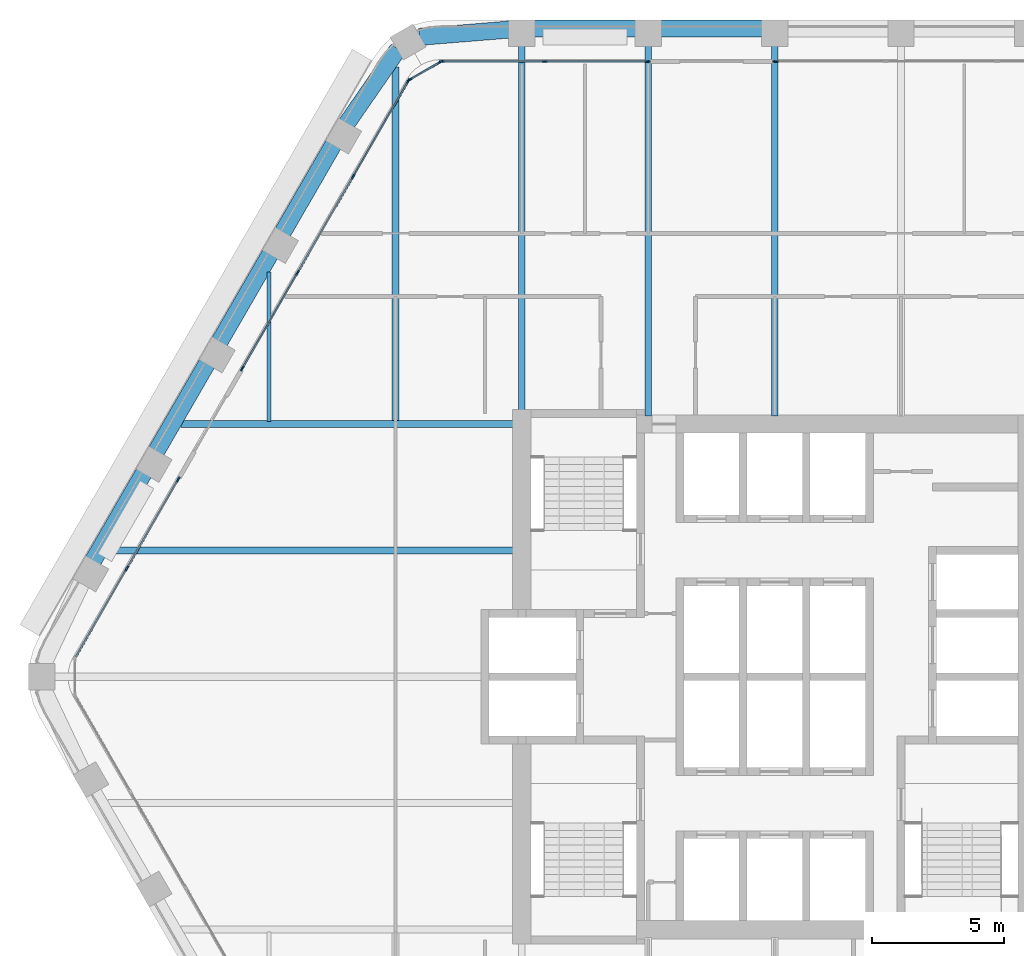
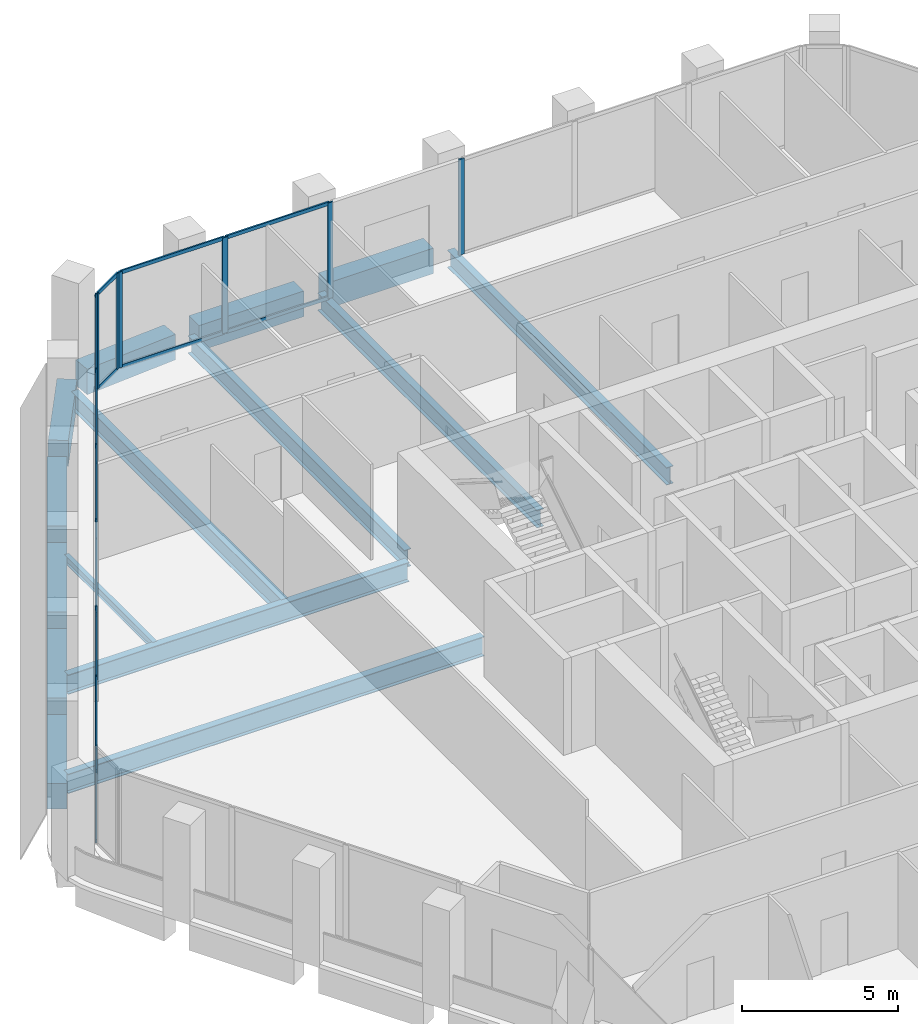
# One storey, part 6 of 17: 28 members, 15 beams, 5 elements without a shape of their own.
"""IFC4 building model written with IfcOpenShell, lengths in metres."""

import ifcopenshell
import ifcopenshell.guid

model = None  # the IFC model being written
_history = None  # IfcOwnerHistory: only IFC2X3 demands one
_inside = {}  # id of a spatial element -> (the spatial element, [elements in it])
_under = {}  # id of a project, library or spatial element -> (it, [spatial elements below it])
_declared = {}  # id of a project -> (the project, [libraries it declares])
_typed = {}  # id of a type object -> (the type object, [elements of that type])
_made_of = {}  # id of a material, layer set ... -> (it, [elements and type objects made of it])


def new_model(schema):
    """Start an empty IFC model of exactly this schema.

    Asked for "IFC4X3", IfcOpenShell would pick the latest addendum, in which some entities
    have other attributes; the version numbers below select the first issue.
    IFC2X3 requires an IfcOwnerHistory on every rooted entity: one is made here for all.
    """
    global model, _history
    if schema == "IFC4X3":
        model = ifcopenshell.file(schema_version=(4, 3, 0, 0))
    else:
        model = ifcopenshell.file(schema=schema)
    _inside.clear()
    _under.clear()
    _declared.clear()
    _typed.clear()
    _made_of.clear()
    _history = None
    if model.schema == "IFC2X3":
        org = make("IfcOrganization", Name="unknown")
        user = make(
            "IfcPersonAndOrganization",
            ThePerson=make("IfcPerson", FamilyName="unknown"),
            TheOrganization=org,
        )
        app = make(
            "IfcApplication",
            ApplicationDeveloper=org,
            Version="unknown",
            ApplicationFullName="unknown",
            ApplicationIdentifier="unknown",
        )
        _history = make(
            "IfcOwnerHistory",
            OwningUser=user,
            OwningApplication=app,
            ChangeAction="ADDED",
            CreationDate=0,
        )
    return model


def make(cls, **values):
    """One entity of the class cls with the attributes given. An attribute that is None is left unset."""
    return model.create_entity(
        cls, **{name: value for name, value in values.items() if value is not None}
    )


def rooted(cls, **values):
    """An entity with a GlobalId (a new one), such as an element, a storey or a relation."""
    return make(cls, GlobalId=ifcopenshell.guid.new(), OwnerHistory=_history, **values)


def si_unit(unit_type, name, prefix=None):
    """IfcSIUnit, for example si_unit("LENGTHUNIT", "METRE", prefix="MILLI")."""
    return make("IfcSIUnit", UnitType=unit_type, Prefix=prefix, Name=name)


def assignment(units):
    """IfcUnitAssignment: the units of a project."""
    return None if units is None else make("IfcUnitAssignment", Units=units)


def point(xyz):
    """IfcCartesianPoint."""
    return None if xyz is None else make("IfcCartesianPoint", Coordinates=xyz)


def direction(xyz):
    """IfcDirection."""
    return None if xyz is None else make("IfcDirection", DirectionRatios=xyz)


def frame(location, z_axis=None, x_axis=None):
    """IfcAxis2Placement3D, a coordinate frame: its origin and axes. An axis left out is left unset."""
    return make(
        "IfcAxis2Placement3D",
        Location=point(location),
        Axis=direction(z_axis),
        RefDirection=direction(x_axis),
    )


def frame_2d(location, x_axis=None):
    """IfcAxis2Placement2D, a coordinate frame in the plane: its origin and x axis."""
    return make(
        "IfcAxis2Placement2D", Location=point(location), RefDirection=direction(x_axis)
    )


def origin():
    """The frame at (0, 0, 0) with its axes left unset."""
    return frame((0.0, 0.0, 0.0))


def origin_2d():
    """The frame at (0, 0) in the plane with its x axis left unset."""
    return frame_2d((0.0, 0.0))


def place(relative_to, where):
    """IfcLocalPlacement: puts the frame where relative to a parent placement (None: the world)."""
    return make(
        "IfcLocalPlacement", PlacementRelTo=relative_to, RelativePlacement=where
    )


def context(
    kind, dimensions, precision=None, world=None, true_north=None, identifier=None
):
    """IfcGeometricRepresentationContext, for example the 3D "Model" context."""
    return make(
        "IfcGeometricRepresentationContext",
        ContextIdentifier=identifier,
        ContextType=kind,
        CoordinateSpaceDimension=dimensions,
        Precision=precision,
        WorldCoordinateSystem=world,
        TrueNorth=true_north,
    )


def subcontext(parent, identifier, kind, view, scale=None):
    """IfcGeometricRepresentationSubContext, for example "Body" below "Model"."""
    return make(
        "IfcGeometricRepresentationSubContext",
        ContextIdentifier=identifier,
        ContextType=kind,
        ParentContext=parent,
        TargetScale=scale,
        TargetView=view,
    )


def project(units=None, contexts=None):
    """IfcProject with its units and contexts."""
    return rooted(
        "IfcProject",
        Name="project",
        RepresentationContexts=contexts,
        UnitsInContext=assignment(units),
    )


def spatial(cls, under=None, at=None, **own):
    """A site, building, storey or space (cls), placed at a placement, below another one or the project."""
    s = rooted(cls, ObjectPlacement=at, **own)
    if under is not None:
        _under.setdefault(under.id(), (under, []))[1].append(s)
    return s


def profile(cls, at=None, kind="AREA", **sizes):
    """A parametric profile (cls). Its sizes go by their IFC names, for example OverallWidth=200.0."""
    return make(cls, ProfileType=kind, Position=at, **sizes)


def rectangle(**sizes):
    """IfcRectangleProfileDef."""
    return profile("IfcRectangleProfileDef", **sizes)


def i_section(**sizes):
    """IfcIShapeProfileDef."""
    return profile("IfcIShapeProfileDef", **sizes)


def extrude(swept, where, along, depth):
    """IfcExtrudedAreaSolid: the profile swept, set in the frame where, extruded along a direction by depth."""
    return make(
        "IfcExtrudedAreaSolid",
        SweptArea=swept,
        Position=where,
        ExtrudedDirection=direction(along),
        Depth=depth,
    )


def shape(context_of_items, identifier, shape_type, items):
    """IfcShapeRepresentation: the items that make up one representation, for example the "Body"."""
    return make(
        "IfcShapeRepresentation",
        ContextOfItems=context_of_items,
        RepresentationIdentifier=identifier,
        RepresentationType=shape_type,
        Items=items,
    )


def material(Name=None, Category=None):
    """IfcMaterial."""
    return make("IfcMaterial", Name=Name, Category=Category)


def material_profile(
    of_material, cross_section, Name=None, Category=None, Priority=None
):
    """IfcMaterialProfile: a cross section and its material."""
    return make(
        "IfcMaterialProfile",
        Name=Name,
        Material=of_material,
        Profile=cross_section,
        Priority=Priority,
        Category=Category,
    )


def profile_set(profiles, Name=None, composite=None):
    """IfcMaterialProfileSet."""
    return make(
        "IfcMaterialProfileSet",
        Name=Name,
        MaterialProfiles=profiles,
        CompositeProfile=composite,
    )


def made_of(thing, what):
    """Note that an element or type object is made of a material, layer set ...; save() writes the relation."""
    if what is not None:
        _made_of.setdefault(what.id(), (what, []))[1].append(thing)
    return thing


def type_object(cls, material=None, **own):
    """A type object (cls), such as IfcWallType, which elements share."""
    return made_of(rooted(cls, **own), material)


def element(
    cls,
    number,
    at=None,
    inside=None,
    cuts=None,
    type_object=None,
    material=None,
    context=None,
    identifier="Body",
    shape_type=None,
    held_by="IfcProductDefinitionShape",
    body=None,
    shapes=None,
    **own,
):
    """One element of the class cls, such as IfcWall. Its Tag is "e" and its number.

    at: its placement. inside: the storey or other place that contains it. cuts: it is an
    opening in that element (IfcRelVoidsElement). A single representation is given by context,
    identifier, shape_type and body (its items); several are given by shapes. held_by: the class
    of the entity that holds the representations. save() writes the other relations.
    """
    e = rooted(cls, Tag="e%d" % number, ObjectPlacement=at, **own)
    if body is not None:
        shapes = [shape(context, identifier, shape_type, body)]
    if shapes is not None:
        e.Representation = make(held_by, Representations=shapes)
    if inside is not None:
        _inside.setdefault(inside.id(), (inside, []))[1].append(e)
    if cuts is not None:
        rooted(
            "IfcRelVoidsElement", RelatingBuildingElement=cuts, RelatedOpeningElement=e
        )
    if type_object is not None:
        _typed.setdefault(type_object.id(), (type_object, []))[1].append(e)
    return made_of(e, material)


def aggregate(whole, parts):
    """IfcRelAggregates: a whole, such as a stair, and the parts it consists of."""
    return rooted("IfcRelAggregates", RelatingObject=whole, RelatedObjects=parts)


def save(model, path):
    """Write the relations noted so far, then the file.

    IfcRelAggregates (storeys below a building ...), IfcRelContainedInSpatialStructure (elements
    in a storey), IfcRelDefinesByType, IfcRelAssociatesMaterial and IfcRelDeclares: one each for
    every whole, place, type object, material and project.
    """
    for whole, parts in _under.values():
        aggregate(whole, parts)
    for where, things in _inside.values():
        rooted(
            "IfcRelContainedInSpatialStructure",
            RelatedElements=things,
            RelatingStructure=where,
        )
    for kind, things in _typed.values():
        rooted("IfcRelDefinesByType", RelatedObjects=things, RelatingType=kind)
    for what, things in _made_of.values():
        rooted("IfcRelAssociatesMaterial", RelatedObjects=things, RelatingMaterial=what)
    for by, libraries in _declared.values():
        rooted("IfcRelDeclares", RelatingContext=by, RelatedDefinitions=libraries)
    model.write(path)


model = new_model("IFC4")

# Units and contexts
model_context = context("Model", 3, precision=1e-05, world=origin(), true_north=direction((0.0, 1.0)))
body_context = subcontext(model_context, "Body", "Model", "MODEL_VIEW")
ifc_project = project(units=[si_unit("LENGTHUNIT", "METRE"), si_unit("AREAUNIT", "SQUARE_METRE"), si_unit("VOLUMEUNIT", "CUBIC_METRE"), si_unit("PLANEANGLEUNIT", "RADIAN"), si_unit("MASSUNIT", "GRAM", prefix="KILO")], contexts=[model_context])

# Site, building, storey
site_placement = place(None, origin())
site = spatial("IfcSite", under=ifc_project, at=site_placement, CompositionType="ELEMENT")
building_placement = place(site_placement, origin())
building = spatial("IfcBuilding", under=site, at=building_placement, Name="Kolab Exchange Tower", CompositionType="ELEMENT")
storey_placement = place(building_placement, frame((0.0, 0.0, 197.300048828125)))
storey = spatial("IfcBuildingStorey", under=building, at=storey_placement, Name="L42", CompositionType="ELEMENT", Elevation=197.300048828125)

# Beams
ifc_material_1 = material(Name="Steel S355", Category="steel")
ifc_material_profile_1 = material_profile(ifc_material_1, i_section(OverallWidth=0.1650390625, OverallDepth=0.31005859375, WebThickness=0.005859375, FlangeThickness=0.009765625, at=origin_2d()), Name="W310X39")
ifc_profile_set_1 = profile_set([ifc_material_profile_1], Name="Steel S355")
beam_type_1 = type_object("IfcBeamType", Name="FLOOR BEAM W310X39", PredefinedType="BEAM", material=ifc_profile_set_1)
beam_1_placement = place(storey_placement, frame((-19.199951171875, 9.693603515625, -0.304931640625), z_axis=(0.0, 1.0, 0.0), x_axis=(-1.0, 0.0, 0.0)))
element("IfcBeam", 1, at=beam_1_placement, inside=storey, type_object=beam_type_1, Name="beam/L42/fr/004", PredefinedType="BEAM", context=body_context, shape_type="SweptSolid", body=[
    extrude(i_section(OverallWidth=0.1650390625, OverallDepth=0.31005859375, WebThickness=0.005859375, FlangeThickness=0.009765625, at=origin_2d()), origin(), (0.0, 0.0, 1.0), 5.674072265625),
])
ifc_material_profile_2 = material_profile(ifc_material_1, i_section(OverallWidth=0.25390625, OverallDepth=0.68408203125, WebThickness=0.012451171875, FlangeThickness=0.018798828125, at=origin_2d()), Name="W690X140")
ifc_profile_set_2 = profile_set([ifc_material_profile_2], Name="Steel S355")
beam_type_2 = type_object("IfcBeamType", Name="FLOOR BEAM W690X140", PredefinedType="BEAM", material=ifc_profile_set_2)
beam_2_placement = place(storey_placement, frame((-14.39990234375, 9.693603515625, -0.491943359375), z_axis=(0.0, 1.0, 0.0), x_axis=(-1.0, 0.0, 0.0)))
element("IfcBeam", 2, at=beam_2_placement, inside=storey, type_object=beam_type_2, Name="beam/L42/fr/006", PredefinedType="BEAM", context=body_context, shape_type="SweptSolid", body=[
    extrude(i_section(OverallWidth=0.25390625, OverallDepth=0.68408203125, WebThickness=0.012451171875, FlangeThickness=0.018798828125, at=origin_2d()), origin(), (0.0, 0.0, 1.0), 13.462158203125),
])
beam_3_placement = place(storey_placement, frame((-9.60009765625, 10.110107421875, -0.491943359375), z_axis=(0.0, 1.0, 0.0), x_axis=(-1.0, 0.0, 0.0)))
element("IfcBeam", 3, at=beam_3_placement, inside=storey, type_object=beam_type_2, Name="beam/L42/fr/008", PredefinedType="BEAM", context=body_context, shape_type="SweptSolid", body=[
    extrude(i_section(OverallWidth=0.25390625, OverallDepth=0.68408203125, WebThickness=0.012451171875, FlangeThickness=0.018798828125, at=origin_2d()), origin(), (0.0, 0.0, 1.0), 13.871337890625),
])
for number, where, z_axis, x_axis, name in (
    (4, (-4.800048828125, 9.909912109375, -0.491943359375), (0.0, 1.0, 0.0), (-1.0, 0.0, 0.0), "beam/L42/fr/010"),
    (5, (0.0, 9.909912109375, -0.491943359375), (0.0, 1.0, 0.0), (-1.0, 0.0, 0.0), "beam/L42/fr/012"),
):
    element("IfcBeam", number, at=place(storey_placement, frame(where, z_axis=z_axis, x_axis=x_axis)), inside=storey, type_object=beam_type_2, Name=name, PredefinedType="BEAM", context=body_context, shape_type="SweptSolid", body=[
        extrude(i_section(OverallWidth=0.25390625, OverallDepth=0.68408203125, WebThickness=0.012451171875, FlangeThickness=0.018798828125, at=origin_2d()), origin(), (0.0, 0.0, 1.0), 14.071533203125),
    ])
ifc_material_profile_3 = material_profile(ifc_material_1, i_section(OverallWidth=0.26708984375, OverallDepth=0.761962890625, WebThickness=0.014404296875, FlangeThickness=0.021484375, at=origin_2d()), Name="W760X173")
ifc_profile_set_3 = profile_set([ifc_material_profile_3], Name="Steel S355")
beam_type_3 = type_object("IfcBeamType", Name="FLOOR BEAM W760X173", PredefinedType="BEAM", material=ifc_profile_set_3)
beam_4_placement = place(storey_placement, frame((-25.318115234375, 4.800048828125, -0.531005859375), z_axis=(1.0, 0.0, 0.0), x_axis=(0.0, 1.0, 0.0)))
element("IfcBeam", 6, at=beam_4_placement, inside=storey, type_object=beam_type_3, Name="beam/L42/fr/002", PredefinedType="BEAM", context=body_context, shape_type="SweptSolid", body=[
    extrude(i_section(OverallWidth=0.26708984375, OverallDepth=0.761962890625, WebThickness=0.014404296875, FlangeThickness=0.021484375, at=origin_2d()), origin(), (0.0, 0.0, 1.0), 15.408203125),
])
ifc_material_profile_4 = material_profile(ifc_material_1, i_section(OverallWidth=0.26708984375, OverallDepth=0.761962890625, WebThickness=0.014404296875, FlangeThickness=0.021484375, at=origin_2d()), Name="W760X173")
ifc_profile_set_4 = profile_set([ifc_material_profile_4], Name="Steel S355")
beam_type_4 = type_object("IfcBeamType", Name="FLOOR GIRDER W760X173", PredefinedType="BEAM", material=ifc_profile_set_4)
beam_5_placement = place(storey_placement, frame((-22.546875, 9.60009765625, -0.531005859375), z_axis=(1.0, 0.0, 0.0), x_axis=(0.0, 1.0, 0.0)))
element("IfcBeam", 7, at=beam_5_placement, inside=storey, type_object=beam_type_4, Name="beam/L42/gd/001", PredefinedType="BEAM", context=body_context, shape_type="SweptSolid", body=[
    extrude(i_section(OverallWidth=0.26708984375, OverallDepth=0.761962890625, WebThickness=0.014404296875, FlangeThickness=0.021484375, at=origin_2d()), origin(), (0.0, 0.0, 1.0), 12.636962890625),
])
ifc_material_2 = material(Name="Concrete C60/75", Category="concrete")
ifc_material_profile_5 = material_profile(ifc_material_2, rectangle(XDim=0.64990234375, YDim=1.0, at=origin_2d()), Name="RC650X1000")
ifc_profile_set_5 = profile_set([ifc_material_profile_5], Name="Concrete C60/75")
beam_type_5 = type_object("IfcBeamType", Name="SPANDREL BEAM 650X1000 C60/75", PredefinedType="BEAM", material=ifc_profile_set_5)
beam_6_placement = place(storey_placement, frame((-13.493896484375, 24.2998046875, -0.650146484375), z_axis=(0.996708497182, 0.081068931445, 0.0), x_axis=(-0.081068931445, 0.996708497182, 0.0)))
element("IfcBeam", 8, at=beam_6_placement, inside=storey, type_object=beam_type_5, Name="beam/L42/sp/F1-01", PredefinedType="BEAM", context=body_context, shape_type="SweptSolid", body=[
    extrude(rectangle(XDim=0.64990234375, YDim=1.0, at=origin_2d()), origin(), (0.0, 0.0, 1.0), 3.445068359375),
])
beam_7_placement = place(storey_placement, frame((-9.139892578125, 24.616455078125, -0.650146484375), z_axis=(1.0, 0.0, 0.0), x_axis=(0.0, 1.0, 0.0)))
element("IfcBeam", 9, at=beam_7_placement, inside=storey, type_object=beam_type_5, Name="beam/L42/sp/F1-02", PredefinedType="BEAM", context=body_context, shape_type="SweptSolid", body=[
    extrude(rectangle(XDim=0.64990234375, YDim=1.0, at=origin_2d()), origin(), (0.0, 0.0, 1.0), 3.8798828125),
])
beam_8_placement = place(storey_placement, frame((-4.340087890625, 24.616455078125, -0.650146484375), z_axis=(1.0, 0.0, 0.0), x_axis=(0.0, 1.0, 0.0)))
element("IfcBeam", 10, at=beam_8_placement, inside=storey, type_object=beam_type_5, Name="beam/L42/sp/F1-03", PredefinedType="BEAM", context=body_context, shape_type="SweptSolid", body=[
    extrude(rectangle(XDim=0.64990234375, YDim=1.0, at=origin_2d()), origin(), (0.0, 0.0, 1.0), 3.880126953125),
])
for number, where, z_axis, x_axis, name in (
    (11, (-25.888427734375, 4.392822265625, -0.650146484375), (0.499996613652, 0.866027358884, 0.0), (-0.866027358884, 0.499996613652, 0.0), "beam/L42/sp/F6-02"),
    (12, (-23.488525390625, 8.5498046875, -0.650146484375), (0.499996613652, 0.866027358884, 0.0), (-0.866027358884, 0.499996613652, 0.0), "beam/L42/sp/F6-03"),
):
    element("IfcBeam", number, at=place(storey_placement, frame(where, z_axis=z_axis, x_axis=x_axis)), inside=storey, type_object=beam_type_5, Name=name, PredefinedType="BEAM", context=body_context, shape_type="SweptSolid", body=[
        extrude(rectangle(XDim=0.64990234375, YDim=1.0, at=origin_2d()), origin(), (0.0, 0.0, 1.0), 3.8798828125),
    ])
beam_9_placement = place(storey_placement, frame((-21.088623046875, 12.70654296875, -0.650146484375), z_axis=(0.50001655835, 0.866015843605, 0.0), x_axis=(-0.866015843605, 0.50001655835, 0.0)))
element("IfcBeam", 13, at=beam_9_placement, inside=storey, type_object=beam_type_5, Name="beam/L42/sp/F6-04", PredefinedType="BEAM", context=body_context, shape_type="SweptSolid", body=[
    extrude(rectangle(XDim=0.64990234375, YDim=1.0, at=origin_2d()), origin(), (0.0, 0.0, 1.0), 3.880126953125),
])
beam_10_placement = place(storey_placement, frame((-18.6884765625, 16.863525390625, -0.650146484375), z_axis=(0.499996613652, 0.866027358884, 0.0), x_axis=(-0.866027358884, 0.499996613652, 0.0)))
element("IfcBeam", 14, at=beam_10_placement, inside=storey, type_object=beam_type_5, Name="beam/L42/sp/F6-05", PredefinedType="BEAM", context=body_context, shape_type="SweptSolid", body=[
    extrude(rectangle(XDim=0.64990234375, YDim=1.0, at=origin_2d()), origin(), (0.0, 0.0, 1.0), 3.8798828125),
])
beam_11_placement = place(storey_placement, frame((-16.256103515625, 21.001953125, -0.650146484375), z_axis=(0.568572281073, 0.822633309073, 0.0), x_axis=(-0.822633309073, 0.568572281073, 0.0)))
element("IfcBeam", 15, at=beam_11_placement, inside=storey, type_object=beam_type_5, Name="beam/L42/sp/F6-06", PredefinedType="BEAM", context=body_context, shape_type="SweptSolid", body=[
    extrude(rectangle(XDim=0.64990234375, YDim=1.0, at=origin_2d()), origin(), (0.0, 0.0, 1.0), 3.445068359375),
])

# Curtain wall, members
ifc_material_3 = material(Name="Aluminium EN AW-6063 T6", Category="aluminium")
curtain_wall_type = type_object("IfcCurtainWallType", Name="UNITISED UPPER MID ZONE CURTAIN WALL", PredefinedType="NOTDEFINED", material=ifc_material_3)
curtain_wall_1_placement = place(storey_placement, origin())
curtain_wall_1 = element("IfcCurtainWall", 16, at=curtain_wall_1_placement, inside=storey, type_object=curtain_wall_type, Name="cw/L42/F1-1", PredefinedType="NOTDEFINED")
ifc_material_profile_6 = material_profile(ifc_material_3, rectangle(XDim=0.06005859375, YDim=0.199951171875, at=origin_2d()), Name="RECT 60X200")
ifc_profile_set_6 = profile_set([ifc_material_profile_6], Name="Aluminium EN AW-6063 T6")
member_type_1 = type_object("IfcMemberType", Name="UNITISED UPPER MID ZONE MULLION 60 X 200", PredefinedType="MULLION", material=ifc_profile_set_6)
member_1_placement = place(storey_placement, frame((-12.637939453125, 23.361572265625, 0.0), z_axis=(0.0, 0.0, 1.0), x_axis=(0.0, 1.0, 0.0)))
member_1 = element("IfcMember", 17, at=member_1_placement, type_object=member_type_1, Name="CW3 mullion 1", PredefinedType="MULLION", context=body_context, shape_type="SweptSolid", body=[
    extrude(rectangle(XDim=0.06005859375, YDim=0.199951171875, at=origin_2d()), origin(), (0.0, 0.0, 1.0), 3.75),
])
member_2_placement = place(storey_placement, frame((-8.73388671875, 23.361572265625, 0.0), z_axis=(0.0, 0.0, 1.0), x_axis=(0.0, 1.0, 0.0)))
member_2 = element("IfcMember", 18, at=member_2_placement, type_object=member_type_1, Name="CW3 mullion 2", PredefinedType="MULLION", context=body_context, shape_type="SweptSolid", body=[
    extrude(rectangle(XDim=0.06005859375, YDim=0.199951171875, at=origin_2d()), origin(), (0.0, 0.0, 1.0), 3.75),
])
member_3_placement = place(storey_placement, frame((-4.830078125, 23.361572265625, 0.0), z_axis=(0.0, 0.0, 1.0), x_axis=(0.0, 1.0, 0.0)))
member_3 = element("IfcMember", 19, at=member_3_placement, type_object=member_type_1, Name="CW3 mullion 3", PredefinedType="MULLION", context=body_context, shape_type="SweptSolid", body=[
    extrude(rectangle(XDim=0.06005859375, YDim=0.199951171875, at=origin_2d()), origin(), (0.0, 0.0, 1.0), 3.75),
])

# Curtain wall, member
curtain_wall_2_placement = place(storey_placement, origin())
curtain_wall_2 = element("IfcCurtainWall", 20, at=curtain_wall_2_placement, inside=storey, type_object=curtain_wall_type, Name="cw/L42/F1-2", PredefinedType="NOTDEFINED")
member_4_placement = place(storey_placement, frame((0.030029296875, 23.361572265625, 0.0), z_axis=(0.0, 0.0, 1.0), x_axis=(0.0, 1.0, 0.0)))
member_4 = element("IfcMember", 21, at=member_4_placement, type_object=member_type_1, Name="CW3 mullion 1", PredefinedType="MULLION", context=body_context, shape_type="SweptSolid", body=[
    extrude(rectangle(XDim=0.06005859375, YDim=0.199951171875, at=origin_2d()), origin(), (0.0, 0.0, 1.0), 3.75),
])
aggregate(curtain_wall_2, [member_4])

# Curtain wall, members
curtain_wall_3_placement = place(storey_placement, origin())
curtain_wall_3 = element("IfcCurtainWall", 22, at=curtain_wall_3_placement, inside=storey, type_object=curtain_wall_type, Name="cw/L42/F6-1", PredefinedType="NOTDEFINED")
member_5_placement = place(storey_placement, frame((-24.5986328125, 4.116943359375, 0.0), z_axis=(0.0, 0.0, 1.0), x_axis=(-0.866025440524, 0.499999936366, 0.0)))
member_5 = element("IfcMember", 23, at=member_5_placement, type_object=member_type_1, Name="CW3 mullion 2", PredefinedType="MULLION", context=body_context, shape_type="SweptSolid", body=[
    extrude(rectangle(XDim=0.06005859375, YDim=0.199951171875, at=origin_2d()), origin(), (0.0, 0.0, 1.0), 3.75),
])
member_6_placement = place(storey_placement, frame((-22.646728515625, 7.497802734375, 0.0), z_axis=(0.0, 0.0, 1.0), x_axis=(-0.866025440524, 0.499999936366, 0.0)))
member_6 = element("IfcMember", 24, at=member_6_placement, type_object=member_type_1, Name="CW3 mullion 3", PredefinedType="MULLION", context=body_context, shape_type="SweptSolid", body=[
    extrude(rectangle(XDim=0.06005859375, YDim=0.199951171875, at=origin_2d()), origin(), (0.0, 0.0, 1.0), 3.75),
])

curtain_wall_4_placement = place(storey_placement, origin())
curtain_wall_4 = element("IfcCurtainWall", 25, at=curtain_wall_4_placement, inside=storey, type_object=curtain_wall_type, Name="cw/L42/F6-2", PredefinedType="NOTDEFINED")
member_7_placement = place(storey_placement, frame((-20.216796875, 11.706787109375, 0.0), z_axis=(0.0, 0.0, 1.0), x_axis=(-0.866025393644, 0.500000017564, 0.0)))
member_7 = element("IfcMember", 26, at=member_7_placement, type_object=member_type_1, Name="CW3 mullion 1", PredefinedType="MULLION", context=body_context, shape_type="SweptSolid", body=[
    extrude(rectangle(XDim=0.06005859375, YDim=0.199951171875, at=origin_2d()), origin(), (0.0, 0.0, 1.0), 3.75),
])
member_8_placement = place(storey_placement, frame((-18.120361328125, 15.337646484375, 0.0), z_axis=(0.0, 0.0, 1.0), x_axis=(-0.866025393644, 0.500000017564, 0.0)))
member_8 = element("IfcMember", 27, at=member_8_placement, type_object=member_type_1, Name="CW3 mullion 2", PredefinedType="MULLION", context=body_context, shape_type="SweptSolid", body=[
    extrude(rectangle(XDim=0.06005859375, YDim=0.199951171875, at=origin_2d()), origin(), (0.0, 0.0, 1.0), 3.75),
])
member_9_placement = place(storey_placement, frame((-16.009033203125, 18.99462890625, 0.0), z_axis=(0.0, 0.0, 1.0), x_axis=(-0.866025393644, 0.500000017564, 0.0)))
member_9 = element("IfcMember", 28, at=member_9_placement, type_object=member_type_1, Name="CW3 mullion 3", PredefinedType="MULLION", context=body_context, shape_type="SweptSolid", body=[
    extrude(rectangle(XDim=0.06005859375, YDim=0.199951171875, at=origin_2d()), origin(), (0.0, 0.0, 1.0), 3.75),
])
member_10_placement = place(storey_placement, frame((-13.91259765625, 22.62548828125, 0.0), z_axis=(0.0, 0.0, 1.0), x_axis=(-0.866025393644, 0.500000017564, 0.0)))
member_10 = element("IfcMember", 29, at=member_10_placement, type_object=member_type_1, Name="CW3 mullion 4", PredefinedType="MULLION", context=body_context, shape_type="SweptSolid", body=[
    extrude(rectangle(XDim=0.06005859375, YDim=0.199951171875, at=origin_2d()), origin(), (0.0, 0.0, 1.0), 3.75),
])

curtain_wall_5_placement = place(storey_placement, origin())
curtain_wall_5 = element("IfcCurtainWall", 30, at=curtain_wall_5_placement, inside=storey, type_object=curtain_wall_type, Name="cw/L42/F6F1-corner", PredefinedType="NOTDEFINED")
member_11_placement = place(storey_placement, frame((-13.871826171875, 22.66650390625, 0.0), z_axis=(0.0, 0.0, 1.0), x_axis=(-0.50000002237, 0.866025390869, 0.0)))
member_11 = element("IfcMember", 31, at=member_11_placement, type_object=member_type_1, Name="CW3 mullion 1", PredefinedType="MULLION", context=body_context, shape_type="SweptSolid", body=[
    extrude(rectangle(XDim=0.06005859375, YDim=0.199951171875, at=origin_2d()), origin(), (0.0, 0.0, 1.0), 3.75),
])
member_12_placement = place(storey_placement, frame((-12.69384765625, 23.346435546875, 0.0), z_axis=(0.0, 0.0, 1.0), x_axis=(-0.50000002237, 0.866025390869, 0.0)))
member_12 = element("IfcMember", 32, at=member_12_placement, type_object=member_type_1, Name="CW3 mullion 2", PredefinedType="MULLION", context=body_context, shape_type="SweptSolid", body=[
    extrude(rectangle(XDim=0.06005859375, YDim=0.199951171875, at=origin_2d()), origin(), (0.0, 0.0, 1.0), 3.75),
])

# Member
ifc_material_profile_7 = material_profile(ifc_material_3, rectangle(XDim=0.06005859375, YDim=0.139892578125, at=origin_2d()), Name="RECT 60X140")
ifc_profile_set_7 = profile_set([ifc_material_profile_7], Name="Aluminium EN AW-6063 T6")
member_type_2 = type_object("IfcMemberType", Name="UNITISED UPPER MID ZONE TRANSOM 60 X 140", PredefinedType="USERDEFINED", material=ifc_profile_set_7)
member_13_placement = place(storey_placement, frame((-12.60791015625, 23.361572265625, 0.030029296875), z_axis=(1.0, 0.0, 0.0), x_axis=(0.0, 1.0, 0.0)))
member_13 = element("IfcMember", 33, at=member_13_placement, type_object=member_type_2, Name="CW3 transom 1.1", ObjectType="TRANSOM", PredefinedType="USERDEFINED", context=body_context, shape_type="SweptSolid", body=[
    extrude(rectangle(XDim=0.06005859375, YDim=0.139892578125, at=origin_2d()), origin(), (0.0, 0.0, 1.0), 3.843994140625),
])

member_14_placement = place(storey_placement, frame((-12.60791015625, 23.361572265625, 3.719970703125), z_axis=(1.0, 0.0, 0.0), x_axis=(0.0, 1.0, 0.0)))
member_14 = element("IfcMember", 34, at=member_14_placement, type_object=member_type_2, Name="CW3 transom 1.2", ObjectType="TRANSOM", PredefinedType="USERDEFINED", context=body_context, shape_type="SweptSolid", body=[
    extrude(rectangle(XDim=0.06005859375, YDim=0.139892578125, at=origin_2d()), origin(), (0.0, 0.0, 1.0), 3.843994140625),
])

member_15_placement = place(storey_placement, frame((-8.703857421875, 23.361572265625, 0.030029296875), z_axis=(1.0, 0.0, 0.0), x_axis=(0.0, 1.0, 0.0)))
member_15 = element("IfcMember", 35, at=member_15_placement, type_object=member_type_2, Name="CW3 transom 2.1", ObjectType="TRANSOM", PredefinedType="USERDEFINED", context=body_context, shape_type="SweptSolid", body=[
    extrude(rectangle(XDim=0.06005859375, YDim=0.139892578125, at=origin_2d()), origin(), (0.0, 0.0, 1.0), 3.84375),
])

member_16_placement = place(storey_placement, frame((-8.703857421875, 23.361572265625, 3.719970703125), z_axis=(1.0, 0.0, 0.0), x_axis=(0.0, 1.0, 0.0)))
member_16 = element("IfcMember", 36, at=member_16_placement, type_object=member_type_2, Name="CW3 transom 2.2", ObjectType="TRANSOM", PredefinedType="USERDEFINED", context=body_context, shape_type="SweptSolid", body=[
    extrude(rectangle(XDim=0.06005859375, YDim=0.139892578125, at=origin_2d()), origin(), (0.0, 0.0, 1.0), 3.84375),
])

aggregate(curtain_wall_1, [member_1, member_2, member_3, member_13, member_14, member_15, member_16])

member_17_placement = place(storey_placement, frame((-26.53564453125, 0.761962890625, 0.030029296875), z_axis=(0.499991857942, 0.866030104553, 0.0), x_axis=(-0.866030104553, 0.499991857942, 0.0)))
member_17 = element("IfcMember", 37, at=member_17_placement, type_object=member_type_2, Name="CW3 transom 1.1", ObjectType="TRANSOM", PredefinedType="USERDEFINED", context=body_context, shape_type="SweptSolid", body=[
    extrude(rectangle(XDim=0.06005859375, YDim=0.139892578125, at=origin_2d()), origin(), (0.0, 0.0, 1.0), 3.84375),
])

member_18_placement = place(storey_placement, frame((-26.53564453125, 0.761962890625, 3.719970703125), z_axis=(0.499991857942, 0.866030104553, 0.0), x_axis=(-0.866030104553, 0.499991857942, 0.0)))
member_18 = element("IfcMember", 38, at=member_18_placement, type_object=member_type_2, Name="CW3 transom 1.2", ObjectType="TRANSOM", PredefinedType="USERDEFINED", context=body_context, shape_type="SweptSolid", body=[
    extrude(rectangle(XDim=0.06005859375, YDim=0.139892578125, at=origin_2d()), origin(), (0.0, 0.0, 1.0), 3.84375),
])

member_19_placement = place(storey_placement, frame((-24.583740234375, 4.142822265625, 0.030029296875), z_axis=(0.500011990396, 0.866018481016, 0.0), x_axis=(-0.866018481016, 0.500011990396, 0.0)))
member_19 = element("IfcMember", 39, at=member_19_placement, type_object=member_type_2, Name="CW3 transom 2.1", ObjectType="TRANSOM", PredefinedType="USERDEFINED", context=body_context, shape_type="SweptSolid", body=[
    extrude(rectangle(XDim=0.06005859375, YDim=0.139892578125, at=origin_2d()), origin(), (0.0, 0.0, 1.0), 3.84423828125),
])

member_20_placement = place(storey_placement, frame((-24.583740234375, 4.142822265625, 3.719970703125), z_axis=(0.500011990396, 0.866018481016, 0.0), x_axis=(-0.866018481016, 0.500011990396, 0.0)))
member_20 = element("IfcMember", 40, at=member_20_placement, type_object=member_type_2, Name="CW3 transom 2.2", ObjectType="TRANSOM", PredefinedType="USERDEFINED", context=body_context, shape_type="SweptSolid", body=[
    extrude(rectangle(XDim=0.06005859375, YDim=0.139892578125, at=origin_2d()), origin(), (0.0, 0.0, 1.0), 3.84423828125),
])

aggregate(curtain_wall_3, [member_5, member_6, member_17, member_18, member_19, member_20])

member_21_placement = place(storey_placement, frame((-20.20166015625, 11.732666015625, 0.030029296875), z_axis=(0.500001996123, 0.866024251319, 0.0), x_axis=(-0.866024251319, 0.500001996123, 0.0)))
member_21 = element("IfcMember", 41, at=member_21_placement, type_object=member_type_2, Name="CW3 transom 1.1", ObjectType="TRANSOM", PredefinedType="USERDEFINED", context=body_context, shape_type="SweptSolid", body=[
    extrude(rectangle(XDim=0.06005859375, YDim=0.139892578125, at=origin_2d()), origin(), (0.0, 0.0, 1.0), 4.1328125),
])

member_22_placement = place(storey_placement, frame((-20.20166015625, 11.732666015625, 3.719970703125), z_axis=(0.500001996123, 0.866024251319, 0.0), x_axis=(-0.866024251319, 0.500001996123, 0.0)))
member_22 = element("IfcMember", 42, at=member_22_placement, type_object=member_type_2, Name="CW3 transom 1.2", ObjectType="TRANSOM", PredefinedType="USERDEFINED", context=body_context, shape_type="SweptSolid", body=[
    extrude(rectangle(XDim=0.06005859375, YDim=0.139892578125, at=origin_2d()), origin(), (0.0, 0.0, 1.0), 4.1328125),
])

member_23_placement = place(storey_placement, frame((-18.10546875, 15.36376953125, 0.030029296875), z_axis=(0.500037208726, 0.86600392025, 0.0), x_axis=(-0.86600392025, 0.500037208726, 0.0)))
member_23 = element("IfcMember", 43, at=member_23_placement, type_object=member_type_2, Name="CW3 transom 2.1", ObjectType="TRANSOM", PredefinedType="USERDEFINED", context=body_context, shape_type="SweptSolid", body=[
    extrude(rectangle(XDim=0.06005859375, YDim=0.139892578125, at=origin_2d()), origin(), (0.0, 0.0, 1.0), 4.162841796875),
])

member_24_placement = place(storey_placement, frame((-18.10546875, 15.36376953125, 3.719970703125), z_axis=(0.500037208726, 0.86600392025, 0.0), x_axis=(-0.86600392025, 0.500037208726, 0.0)))
member_24 = element("IfcMember", 44, at=member_24_placement, type_object=member_type_2, Name="CW3 transom 2.2", ObjectType="TRANSOM", PredefinedType="USERDEFINED", context=body_context, shape_type="SweptSolid", body=[
    extrude(rectangle(XDim=0.06005859375, YDim=0.139892578125, at=origin_2d()), origin(), (0.0, 0.0, 1.0), 4.162841796875),
])

member_25_placement = place(storey_placement, frame((-15.994140625, 19.0205078125, 0.030029296875), z_axis=(0.500001996123, 0.866024251319, 0.0), x_axis=(-0.866024251319, 0.500001996123, 0.0)))
member_25 = element("IfcMember", 45, at=member_25_placement, type_object=member_type_2, Name="CW3 transom 3.1", ObjectType="TRANSOM", PredefinedType="USERDEFINED", context=body_context, shape_type="SweptSolid", body=[
    extrude(rectangle(XDim=0.06005859375, YDim=0.139892578125, at=origin_2d()), origin(), (0.0, 0.0, 1.0), 4.1328125),
])

member_26_placement = place(storey_placement, frame((-15.994140625, 19.0205078125, 3.719970703125), z_axis=(0.500001996123, 0.866024251319, 0.0), x_axis=(-0.866024251319, 0.500001996123, 0.0)))
member_26 = element("IfcMember", 46, at=member_26_placement, type_object=member_type_2, Name="CW3 transom 3.2", ObjectType="TRANSOM", PredefinedType="USERDEFINED", context=body_context, shape_type="SweptSolid", body=[
    extrude(rectangle(XDim=0.06005859375, YDim=0.139892578125, at=origin_2d()), origin(), (0.0, 0.0, 1.0), 4.1328125),
])

aggregate(curtain_wall_4, [member_7, member_8, member_9, member_10, member_21, member_22, member_23, member_24, member_25, member_26])

member_27_placement = place(storey_placement, frame((-13.845703125, 22.681640625, 0.030029296875), z_axis=(0.86603858612, 0.49997716683, 0.0), x_axis=(-0.49997716683, 0.86603858612, 0.0)))
member_27 = element("IfcMember", 47, at=member_27_placement, type_object=member_type_2, Name="CW3 transom 1.1", ObjectType="TRANSOM", PredefinedType="USERDEFINED", context=body_context, shape_type="SweptSolid", body=[
    extrude(rectangle(XDim=0.06005859375, YDim=0.139892578125, at=origin_2d()), origin(), (0.0, 0.0, 1.0), 1.2998046875),
])

member_28_placement = place(storey_placement, frame((-13.845703125, 22.681640625, 3.719970703125), z_axis=(0.86603858612, 0.49997716683, 0.0), x_axis=(-0.49997716683, 0.86603858612, 0.0)))
member_28 = element("IfcMember", 48, at=member_28_placement, type_object=member_type_2, Name="CW3 transom 1.2", ObjectType="TRANSOM", PredefinedType="USERDEFINED", context=body_context, shape_type="SweptSolid", body=[
    extrude(rectangle(XDim=0.06005859375, YDim=0.139892578125, at=origin_2d()), origin(), (0.0, 0.0, 1.0), 1.2998046875),
])

aggregate(curtain_wall_5, [member_11, member_12, member_27, member_28])

save(model, "model.ifc")
